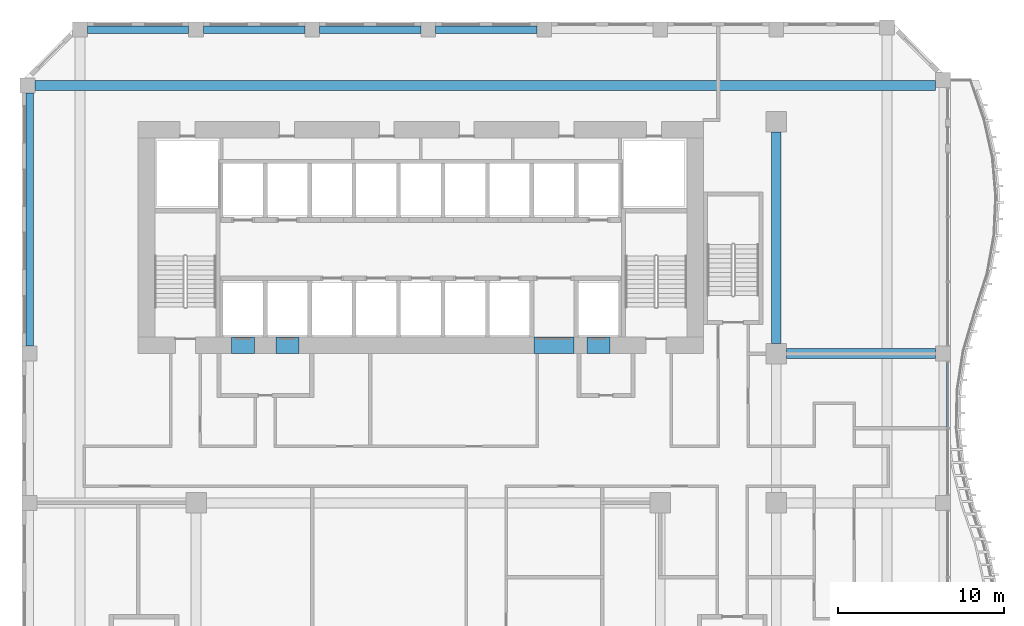
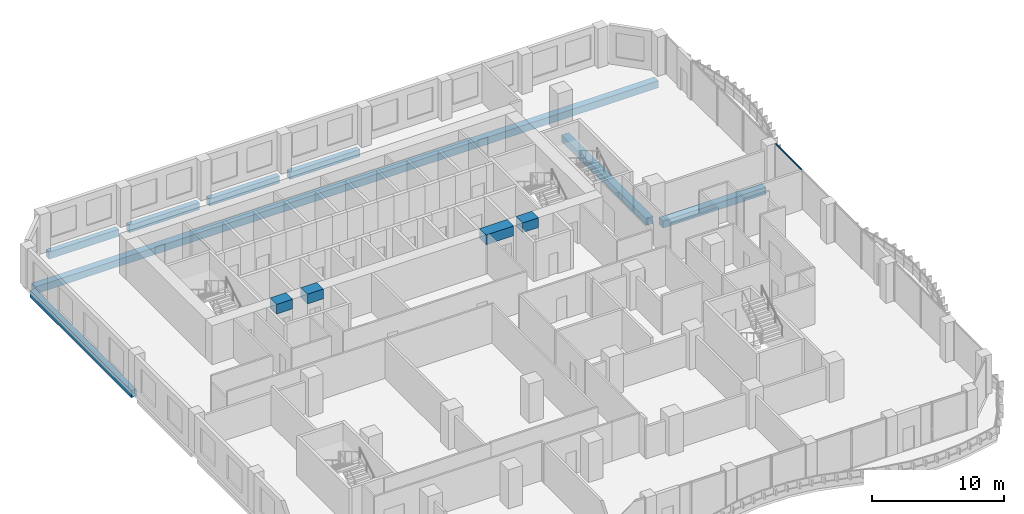
# One storey, part 9 of 21: 12 beams, 1 member, 1 element without a shape of its own.
"""IFC4 building model written with IfcOpenShell, lengths in metres."""

from ifc_helpers import new_model, si_unit, direction, frame, origin, origin_2d, place, context, subcontext, project, spatial, rectangle, extrude, source, transform, mapped, material, material_profile, profile_set, type_object, element, aggregate, save


model = new_model("IFC4")

# Units and contexts
model_context = context("Model", 3, precision=1e-05, world=origin(), true_north=direction((0.0, 1.0)))
body_context = subcontext(model_context, "Body", "Model", "MODEL_VIEW")
ifc_project = project(units=[si_unit("LENGTHUNIT", "METRE"), si_unit("AREAUNIT", "SQUARE_METRE"), si_unit("VOLUMEUNIT", "CUBIC_METRE"), si_unit("PLANEANGLEUNIT", "RADIAN"), si_unit("MASSUNIT", "GRAM", prefix="KILO")], contexts=[model_context])

# Site, building, storey
site_placement = place(None, origin())
site = spatial("IfcSite", under=ifc_project, at=site_placement, CompositionType="ELEMENT")
building_placement = place(site_placement, origin())
building = spatial("IfcBuilding", under=site, at=building_placement, Name="Kilnfold Tower and Market Hall", CompositionType="ELEMENT")
storey_placement = place(building_placement, frame((0.0, 0.0, 91.199951171875)))
storey = spatial("IfcBuildingStorey", under=building, at=storey_placement, Name="L21", CompositionType="ELEMENT", Elevation=91.199951171875)

# Beams
ifc_material_1 = material(Name="Concrete C45", Category="concrete")
ifc_material_profile_1 = material_profile(ifc_material_1, rectangle(XDim=0.449951171875, YDim=0.64990234375, at=origin_2d()), Name="RC 450x650")
ifc_profile_set_1 = profile_set([ifc_material_profile_1], Name="Concrete C45")
beam_type_1 = type_object("IfcBeamType", Name="EDGE BEAM 450X650 C45", PredefinedType="BEAM", material=ifc_profile_set_1)
shared_shape_1 = source(origin(), body_context, "Body", "SweptSolid", [
    extrude(rectangle(XDim=0.449951171875, YDim=0.64990234375, at=origin_2d()), origin(), (0.0, 0.0, 1.0), 6.10009765625),
])
for number, where, z_axis, x_axis, name in (
    (1, (-19.050048828125, 27.550048828125, -0.60498046875), (1.0, 0.0, 0.0), (0.0, 1.0, 0.0), "Beam EB650-B2.75"),
    (2, (-12.050048828125, 27.550048828125, -0.60498046875), (1.0, 0.0, 0.0), (0.0, 1.0, 0.0), "Beam EB650-B2.76"),
    (3, (-5.050048828125, 27.550048828125, -0.60498046875), (1.0, 0.0, 0.0), (0.0, 1.0, 0.0), "Beam EB650-B2.77"),
    (4, (1.949951171875, 27.550048828125, -0.60498046875), (1.0, 0.0, 0.0), (0.0, 1.0, 0.0), "Beam EB650-B2.78"),
):
    element("IfcBeam", number, at=place(storey_placement, frame(where, z_axis=z_axis, x_axis=x_axis)), inside=storey, type_object=beam_type_1, Name=name, PredefinedType="BEAM", context=body_context, shape_type="MappedRepresentation", body=[
        mapped(shared_shape_1, transform((0.0, 0.0, 0.0))),
    ])
ifc_material_2 = material(Name="Concrete C45", Category="concrete")
ifc_material_profile_2 = material_profile(ifc_material_2, rectangle(XDim=0.60009765625, YDim=0.64990234375, at=origin_2d()), Name="RC 600x650")
ifc_profile_set_2 = profile_set([ifc_material_profile_2], Name="Concrete C45")
beam_type_2 = type_object("IfcBeamType", Name="BEAM 600X650 C45", PredefinedType="BEAM", material=ifc_profile_set_2)
shared_shape_2 = source(origin(), body_context, "Body", "SweptSolid", [
    extrude(rectangle(XDim=0.60009765625, YDim=0.64990234375, at=origin_2d()), origin(), (0.0, 0.0, 1.0), 54.331787109375),
])
beam_1_placement = place(storey_placement, frame((-22.231689453125, 24.179931640625, -0.60498046875), z_axis=(1.0, 0.0, 0.0), x_axis=(0.0, 1.0, 0.0)))
element("IfcBeam", 5, at=beam_1_placement, inside=storey, type_object=beam_type_2, Name="Beam BB650-B2.74", PredefinedType="BEAM", context=body_context, shape_type="MappedRepresentation", body=[
    mapped(shared_shape_2, transform((0.0, 0.0, 0.0))),
])
shared_shape_3 = source(origin(), body_context, "Body", "SweptSolid", [
    extrude(rectangle(XDim=0.449951171875, YDim=0.64990234375, at=origin_2d()), origin(), (0.0, 0.0, 1.0), 15.28173828125),
])
beam_2_placement = place(storey_placement, frame((-22.550048828125, 8.449951171875, -0.60498046875), z_axis=(0.0, 1.0, 0.0), x_axis=(-1.0, 0.0, 0.0)))
element("IfcBeam", 6, at=beam_2_placement, inside=storey, type_object=beam_type_1, Name="Beam EB650-B2.41", PredefinedType="BEAM", context=body_context, shape_type="MappedRepresentation", body=[
    mapped(shared_shape_3, transform((0.0, 0.0, 0.0))),
])
ifc_material_3 = material(Name="Concrete C80", Category="concrete")
ifc_material_profile_3 = material_profile(ifc_material_3, rectangle(XDim=1.0, YDim=0.89990234375, at=origin_2d()), Name="RC 1000x900")
ifc_profile_set_3 = profile_set([ifc_material_profile_3], Name="Concrete C80")
beam_type_3 = type_object("IfcBeamType", Name="COUPLING BEAM 1000X900 C80", PredefinedType="BEAM", material=ifc_profile_set_3)
shared_shape_4 = source(origin(), body_context, "Body", "SweptSolid", [
    extrude(rectangle(XDim=1.0, YDim=0.89990234375, at=origin_2d()), origin(), (0.0, 0.0, 1.0), 1.400146484375),
])
beam_3_placement = place(storey_placement, frame((-10.3701171875, 8.5, 3.150146484375), z_axis=(1.0, 0.0, 0.0), x_axis=(0.0, 1.0, 0.0)))
element("IfcBeam", 7, at=beam_3_placement, inside=storey, type_object=beam_type_3, Name="Coupling beam CB900-80-CORE.42", PredefinedType="BEAM", context=body_context, shape_type="MappedRepresentation", body=[
    mapped(shared_shape_4, transform((0.0, 0.0, 0.0))),
])
shared_shape_5 = source(origin(), body_context, "Body", "SweptSolid", [
    extrude(rectangle(XDim=1.0, YDim=0.89990234375, at=origin_2d()), origin(), (0.0, 0.0, 1.0), 1.39990234375),
])
for number, where, z_axis, x_axis, name in (
    (8, (-7.68994140625, 8.5, 3.150146484375), (1.0, 0.0, 0.0), (0.0, 1.0, 0.0), "Coupling beam CB900-80-CORE.43"),
    (9, (11.070068359375, 8.5, 3.150146484375), (1.0, 0.0, 0.0), (0.0, 1.0, 0.0), "Coupling beam CB900-80-CORE.45"),
):
    element("IfcBeam", number, at=place(storey_placement, frame(where, z_axis=z_axis, x_axis=x_axis)), inside=storey, type_object=beam_type_3, Name=name, PredefinedType="BEAM", context=body_context, shape_type="MappedRepresentation", body=[
        mapped(shared_shape_5, transform((0.0, 0.0, 0.0))),
    ])
shared_shape_6 = source(origin(), body_context, "Body", "SweptSolid", [
    extrude(rectangle(XDim=1.0, YDim=0.89990234375, at=origin_2d()), origin(), (0.0, 0.0, 1.0), 2.400146484375),
])
beam_4_placement = place(storey_placement, frame((7.889892578125, 8.5, 3.150146484375), z_axis=(1.0, 0.0, 0.0), x_axis=(0.0, 1.0, 0.0)))
element("IfcBeam", 10, at=beam_4_placement, inside=storey, type_object=beam_type_3, Name="Coupling beam CB900-80-CORE.44", PredefinedType="BEAM", context=body_context, shape_type="MappedRepresentation", body=[
    mapped(shared_shape_6, transform((0.0, 0.0, 0.0))),
])
shared_shape_7 = source(origin(), body_context, "Body", "SweptSolid", [
    extrude(rectangle(XDim=0.60009765625, YDim=0.64990234375, at=origin_2d()), origin(), (0.0, 0.0, 1.0), 8.97509765625),
])
beam_5_placement = place(storey_placement, frame((23.125, 8.0, -0.60498046875), z_axis=(1.0, 0.0, 0.0), x_axis=(0.0, 1.0, 0.0)))
element("IfcBeam", 11, at=beam_5_placement, inside=storey, type_object=beam_type_2, Name="Beam BB650-B2.73", PredefinedType="BEAM", context=body_context, shape_type="MappedRepresentation", body=[
    mapped(shared_shape_7, transform((0.0, 0.0, 0.0))),
])
shared_shape_8 = source(origin(), body_context, "Body", "SweptSolid", [
    extrude(rectangle(XDim=0.60009765625, YDim=0.64990234375, at=origin_2d()), origin(), (0.0, 0.0, 1.0), 12.75),
])
beam_6_placement = place(storey_placement, frame((22.5, 8.625, -0.60498046875), z_axis=(0.0, 1.0, 0.0), x_axis=(-1.0, 0.0, 0.0)))
element("IfcBeam", 12, at=beam_6_placement, inside=storey, type_object=beam_type_2, Name="Beam BB650-B2.97", PredefinedType="BEAM", context=body_context, shape_type="MappedRepresentation", body=[
    mapped(shared_shape_8, transform((0.0, 0.0, 0.0))),
])

# Curtain wall, member
ifc_material_4 = material(Name="Aluminium and double glazing", Category="aluminium")
curtain_wall_type = type_object("IfcCurtainWallType", Name="CW OF1 VALLEY GLAZING", PredefinedType="NOTDEFINED", material=ifc_material_4)
curtain_wall_placement = place(storey_placement, origin())
curtain_wall = element("IfcCurtainWall", 13, at=curtain_wall_placement, inside=storey, type_object=curtain_wall_type, Name="Curtain wall CW1 L21 E", PredefinedType="NOTDEFINED")
ifc_material_5 = material(Name="Aluminium", Category="aluminium")
ifc_material_profile_4 = material_profile(ifc_material_5, rectangle(XDim=0.06005859375, YDim=0.139892578125, at=origin_2d()), Name="TRANSOM 60x140")
ifc_profile_set_4 = profile_set([ifc_material_profile_4], Name="Aluminium")
member_type = type_object("IfcMemberType", Name="TRANSOM 60X140", PredefinedType="USERDEFINED", material=ifc_profile_set_4)
shared_shape_9 = source(origin(), body_context, "Body", "SweptSolid", [
    extrude(rectangle(XDim=0.06005859375, YDim=0.139892578125, at=origin_2d()), origin(), (0.0, 0.0, 1.0), 3.929931640625),
])
member_placement = place(storey_placement, frame((32.85009765625, 3.56005859375, 3.570068359375), z_axis=(0.0, 1.0, 0.0), x_axis=(-1.0, 0.0, 0.0)))
member = element("IfcMember", 14, at=member_placement, type_object=member_type, Name="CW1 transom 1.2", ObjectType="TRANSOM", PredefinedType="USERDEFINED", context=body_context, shape_type="MappedRepresentation", body=[
    mapped(shared_shape_9, transform((0.0, 0.0, 0.0))),
])
aggregate(curtain_wall, [member])

save(model, "model.ifc")
